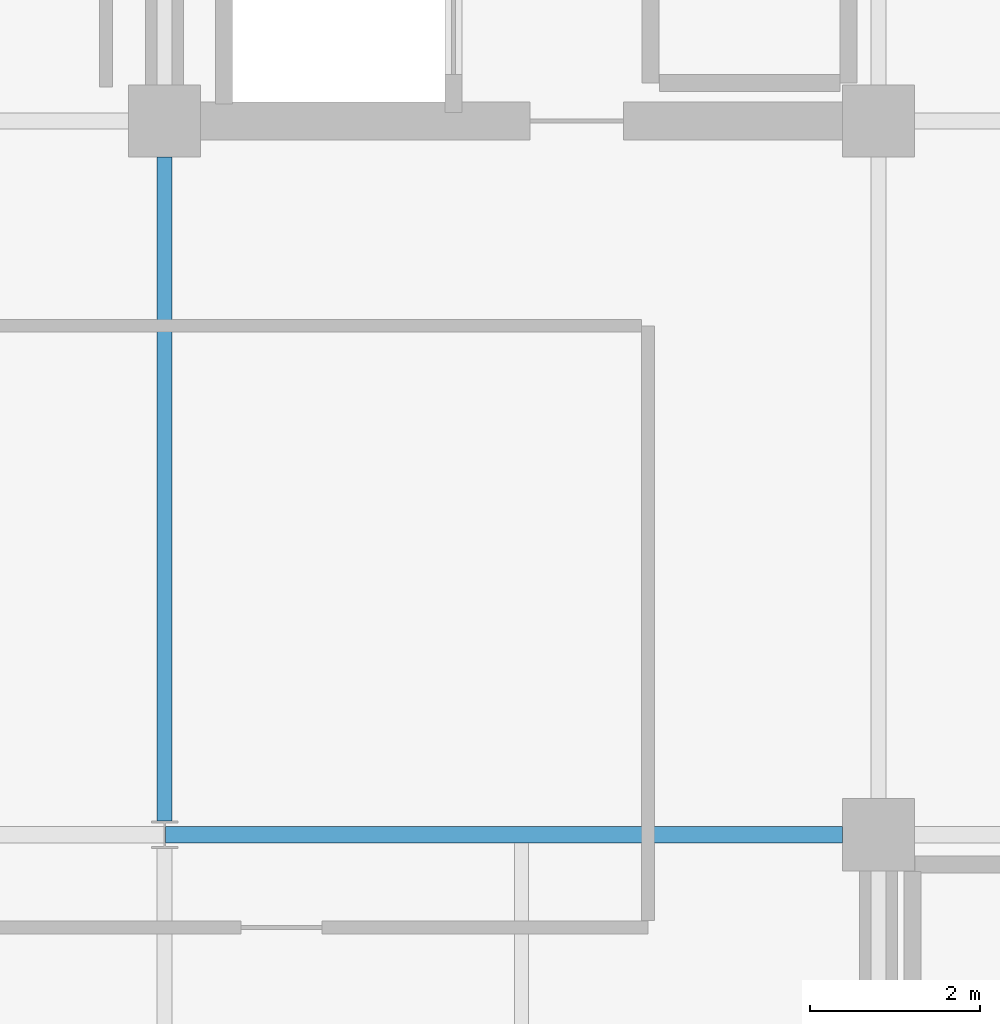
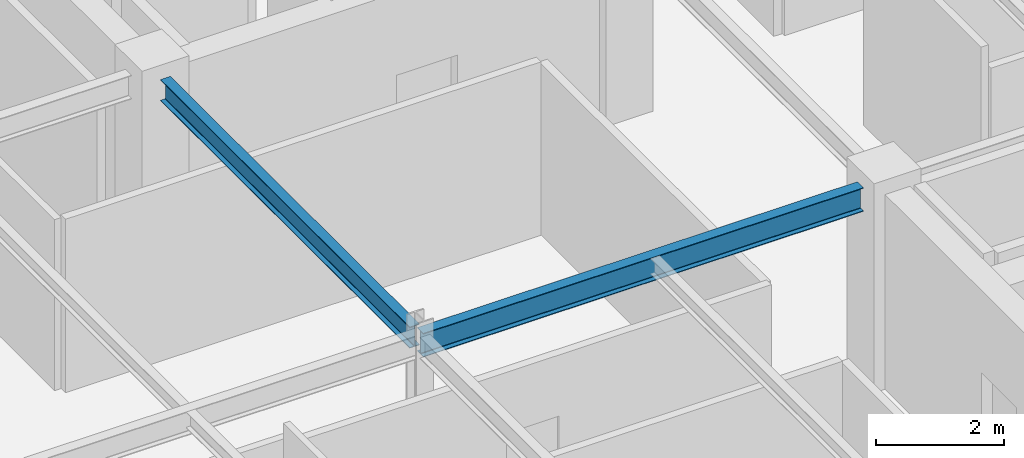
# One storey, part 10 of 27: 2 beams.
"""IFC4 building model written with IfcOpenShell, lengths in metres."""

from ifc_helpers import new_model, si_unit, direction, frame, origin, origin_2d, place, context, subcontext, project, spatial, i_section, extrude, material, material_profile, profile_set, type_object, element, save


model = new_model("IFC4")

# Units and contexts
model_context = context("Model", 3, precision=1e-05, world=origin(), true_north=direction((0.0, 1.0)))
body_context = subcontext(model_context, "Body", "Model", "MODEL_VIEW")
ifc_project = project(units=[si_unit("LENGTHUNIT", "METRE"), si_unit("AREAUNIT", "SQUARE_METRE"), si_unit("VOLUMEUNIT", "CUBIC_METRE"), si_unit("PLANEANGLEUNIT", "RADIAN"), si_unit("MASSUNIT", "GRAM", prefix="KILO")], contexts=[model_context])

# Site, building, storey
site_placement = place(None, origin())
site = spatial("IfcSite", under=ifc_project, at=site_placement, CompositionType="ELEMENT")
building_placement = place(site_placement, origin())
building = spatial("IfcBuilding", under=site, at=building_placement, Name="Nerrivon Quay Data Exchange", CompositionType="ELEMENT")
storey_placement = place(building_placement, frame((0.0, 0.0, 266.199951171875)))
storey = spatial("IfcBuildingStorey", under=building, at=storey_placement, Name="L63", CompositionType="ELEMENT", Elevation=266.199951171875)

# Beams
ifc_material = material(Name="Steel Grade 350", Category="steel")
ifc_material_profile_1 = material_profile(ifc_material, i_section(OverallWidth=0.18994140625, OverallDepth=0.4541015625, WebThickness=0.008544921875, FlangeThickness=0.0126953125, FilletRadius=0.011474609375, at=origin_2d()), Name="460UB67.1")
ifc_profile_set_1 = profile_set([ifc_material_profile_1], Name="Steel Grade 350")
beam_type_1 = type_object("IfcBeamType", Name="BM-G6-460UB67", PredefinedType="BEAM", material=ifc_profile_set_1)
beam_1_placement = place(storey_placement, frame((8.40771484375, 16.800048828125, 3.498046875), z_axis=(1.0, 0.0, 0.0), x_axis=(0.0, 1.0, 0.0)))
element("IfcBeam", 1, at=beam_1_placement, inside=storey, type_object=beam_type_1, Name="L63 EW Girder Y=16.8 (8.4..16.8)", PredefinedType="BEAM", context=body_context, shape_type="SweptSolid", body=[
    extrude(i_section(OverallWidth=0.18994140625, OverallDepth=0.4541015625, WebThickness=0.008544921875, FlangeThickness=0.0126953125, FilletRadius=0.011474609375, at=origin_2d()), origin(), (0.0, 0.0, 1.0), 7.96728515625),
])
ifc_material_profile_2 = material_profile(ifc_material, i_section(OverallWidth=0.177978515625, OverallDepth=0.406005859375, WebThickness=0.0078125, FlangeThickness=0.0126953125, FilletRadius=0.011474609375, at=origin_2d()), Name="410UB59.7")
ifc_profile_set_2 = profile_set([ifc_material_profile_2], Name="Steel Grade 350")
beam_type_2 = type_object("IfcBeamType", Name="BM-J1-410UB60", PredefinedType="JOIST", material=ifc_profile_set_2)
beam_2_placement = place(storey_placement, frame((8.39990234375, 16.96337890625, 3.52197265625), z_axis=(0.0, 1.0, 0.0), x_axis=(-1.0, 0.0, 0.0)))
element("IfcBeam", 2, at=beam_2_placement, inside=storey, type_object=beam_type_2, Name="L63 NS Girder X=8.4 (16.8..25.2)", PredefinedType="JOIST", context=body_context, shape_type="SweptSolid", body=[
    extrude(i_section(OverallWidth=0.177978515625, OverallDepth=0.406005859375, WebThickness=0.0078125, FlangeThickness=0.0126953125, FilletRadius=0.011474609375, at=origin_2d()), origin(), (0.0, 0.0, 1.0), 7.8115234375),
])

save(model, "model.ifc")
